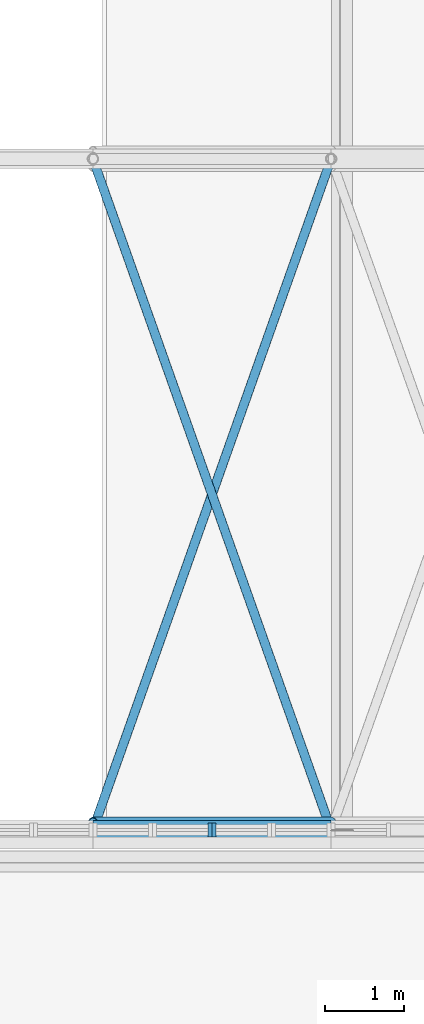
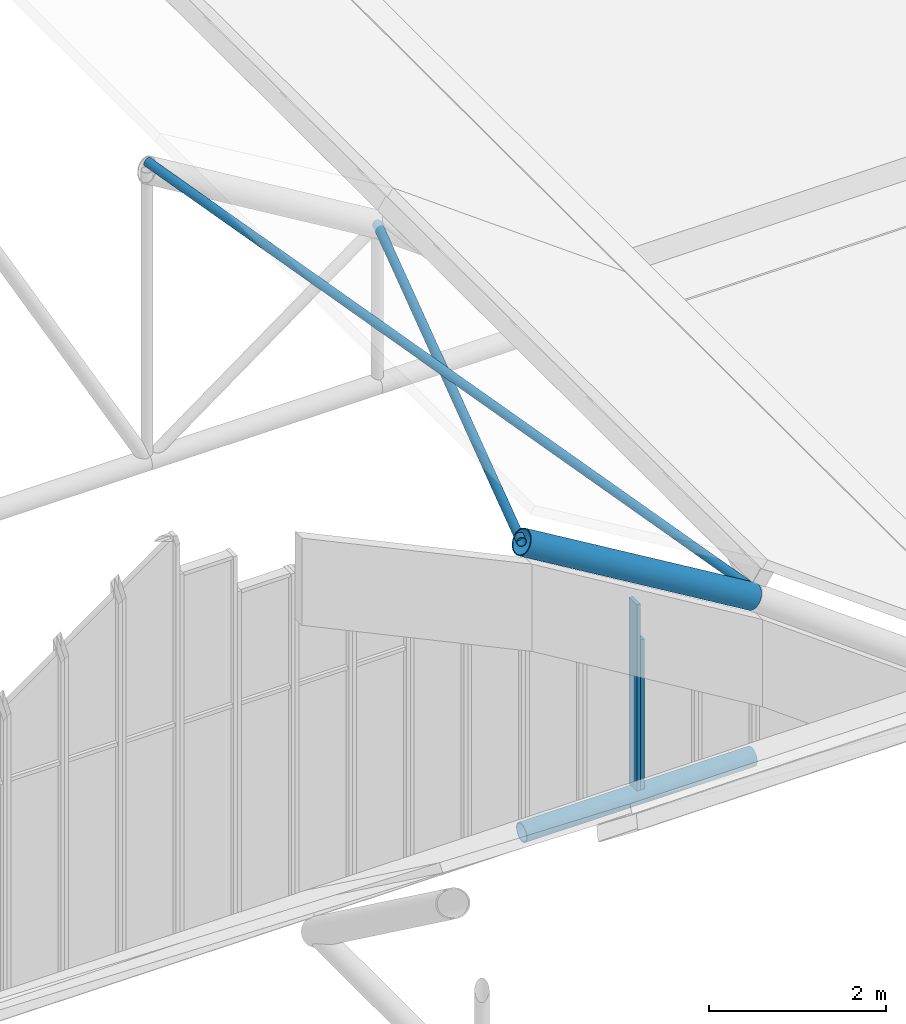
# One storey, part 69 of 153: 6 members, 2 elements without a shape of their own.
"""IFC4 building model written with IfcOpenShell, lengths in metres."""

from ifc_helpers import new_model, si_unit, direction, frame, origin, origin_2d, place, context, subcontext, project, spatial, rectangle, hollow_circle, extrude, material, material_profile, profile_set, type_object, element, aggregate, save


model = new_model("IFC4")

# Units and contexts
model_context = context("Model", 3, precision=1e-05, world=origin(), true_north=direction((0.0, 1.0)))
body_context = subcontext(model_context, "Body", "Model", "MODEL_VIEW")
ifc_project = project(units=[si_unit("LENGTHUNIT", "METRE"), si_unit("AREAUNIT", "SQUARE_METRE"), si_unit("VOLUMEUNIT", "CUBIC_METRE"), si_unit("PLANEANGLEUNIT", "RADIAN"), si_unit("MASSUNIT", "GRAM", prefix="KILO")], contexts=[model_context])

# Site, building, storey
site_placement = place(None, origin())
site = spatial("IfcSite", under=ifc_project, at=site_placement, CompositionType="ELEMENT")
building_placement = place(site_placement, origin())
building = spatial("IfcBuilding", under=site, at=building_placement, Name="Baradari Gate Terminus", CompositionType="ELEMENT")
storey_placement = place(building_placement, frame((0.0, 0.0, 11.699951171875)))
storey = spatial("IfcBuildingStorey", under=building, at=storey_placement, Name="L02", CompositionType="ELEMENT", Elevation=11.699951171875)

# Curtain wall, member
ifc_material_1 = material(Name="Aluminium 6063-T6", Category="aluminium")
curtain_wall_type = type_object("IfcCurtainWallType", Name="Curtain wall CW-60 hall gable glazing", PredefinedType="NOTDEFINED", material=ifc_material_1)
curtain_wall_1_placement = place(storey_placement, origin())
curtain_wall_1 = element("IfcCurtainWall", 1, at=curtain_wall_1_placement, inside=storey, type_object=curtain_wall_type, Name="Hall gable glazing S42", PredefinedType="NOTDEFINED")
ifc_material_2 = material(Name="Aluminium 6063-T6", Category="aluminium")
ifc_material_profile_1 = material_profile(ifc_material_2, rectangle(XDim=0.175048828125, YDim=0.050048828125, at=origin_2d()), Name="CM-60 50X175")
ifc_profile_set_1 = profile_set([ifc_material_profile_1], Name="Aluminium 6063-T6")
member_type_1 = type_object("IfcMemberType", Name="Curtain wall mullion CM-60 50x175", PredefinedType="MULLION", material=ifc_profile_set_1)
member_1_placement = place(storey_placement, frame((166.47509765625, 81.550048828125, 0.234619140625), z_axis=(0.0, 0.0, 1.0), x_axis=(0.0, 1.0, 0.0)))
member_1 = element("IfcMember", 2, at=member_1_placement, type_object=member_type_1, Name="CW-60 mullion 2", PredefinedType="MULLION", context=body_context, shape_type="SweptSolid", body=[
    extrude(rectangle(XDim=0.175048828125, YDim=0.050048828125, at=origin_2d()), origin(), (0.0, 0.0, 1.0), 2.5654296875),
])
aggregate(curtain_wall_1, [member_1])

curtain_wall_2_placement = place(storey_placement, origin())
curtain_wall_2 = element("IfcCurtainWall", 3, at=curtain_wall_2_placement, inside=storey, type_object=curtain_wall_type, Name="Hall gable glazing S43", PredefinedType="NOTDEFINED")
member_2_placement = place(storey_placement, frame((166.52490234375, 81.550048828125, 0.234619140625), z_axis=(0.0, 0.0, 1.0), x_axis=(0.0, 1.0, 0.0)))
member_2 = element("IfcMember", 4, at=member_2_placement, type_object=member_type_1, Name="CW-60 mullion 1", PredefinedType="MULLION", context=body_context, shape_type="SweptSolid", body=[
    extrude(rectangle(XDim=0.175048828125, YDim=0.050048828125, at=origin_2d()), origin(), (0.0, 0.0, 1.0), 2.0654296875),
])
aggregate(curtain_wall_2, [member_2])

# Members
ifc_material_3 = material(Name="Steel S355", Category="steel")
ifc_material_profile_2 = material_profile(ifc_material_3, hollow_circle(Radius=0.122314453125, WallThickness=0.010009765625, at=origin_2d()), Name="CHS 244.5x10")
ifc_profile_set_2 = profile_set([ifc_material_profile_2], Name="Steel S355")
member_type_2 = type_object("IfcMemberType", Name="Hall vault tie CHS 244.5x10", PredefinedType="CHORD", material=ifc_profile_set_2)
member_3_placement = place(storey_placement, frame((165.0, 81.550048828125, 0.122314453125), z_axis=(1.0, 0.0, 0.0), x_axis=(0.0, 1.0, 0.0)))
element("IfcMember", 5, at=member_3_placement, inside=storey, type_object=member_type_2, Name="TR/L02/VT1-BC10", PredefinedType="CHORD", context=body_context, shape_type="SweptSolid", body=[
    extrude(hollow_circle(Radius=0.122314453125, WallThickness=0.010009765625, at=origin_2d()), origin(), (0.0, 0.0, 1.0), 3.0),
])
ifc_material_4 = material(Name="Steel S355", Category="steel")
ifc_material_profile_3 = material_profile(ifc_material_4, hollow_circle(Radius=0.161865234375, WallThickness=0.012451171875, at=origin_2d()), Name="CHS 323.9x12.5")
ifc_profile_set_3 = profile_set([ifc_material_profile_3], Name="Steel S355")
member_type_3 = type_object("IfcMemberType", Name="Hall vault top chord CHS 323.9x12.5", PredefinedType="CHORD", material=ifc_profile_set_3)
member_4_placement = place(storey_placement, frame((165.0, 81.550048828125, 4.122314453125), z_axis=(0.857486768376, 0.0, -0.514506017516), x_axis=(0.0, 1.0, 0.0)))
element("IfcMember", 6, at=member_4_placement, inside=storey, type_object=member_type_3, Name="TR/L02/VT1-TC10", PredefinedType="CHORD", context=body_context, shape_type="SweptSolid", body=[
    extrude(hollow_circle(Radius=0.161865234375, WallThickness=0.012451171875, at=origin_2d()), origin(), (0.0, 0.0, 1.0), 3.49853515625),
])
ifc_material_5 = material(Name="Steel S355", Category="steel")
ifc_material_profile_4 = material_profile(ifc_material_5, hollow_circle(Radius=0.05712890625, WallThickness=0.00634765625, at=origin_2d()), Name="CHS 114.3x6.3")
ifc_profile_set_4 = profile_set([ifc_material_profile_4], Name="Steel S355")
member_type_4 = type_object("IfcMemberType", Name="Shed roof brace CHS 114.3x6.3", PredefinedType="BRACE", material=ifc_profile_set_4)
for number, where, z_axis, x_axis, name in (
    (7, (165.0, 81.550048828125, 4.122314453125), (0.328026883744, 0.923937050233, -0.196821469226), (-0.942370433144, 0.334571317861, 0.0), "TR/L02/VPB1-RB10A"),
    (8, (168.0, 81.550048828125, 2.4365234375), (-0.328026883744, 0.923937050233, 0.196821469226), (-0.942370433144, -0.334571317861, 0.0), "TR/L02/VPB1-RB10B"),
):
    element("IfcMember", number, at=place(storey_placement, frame(where, z_axis=z_axis, x_axis=x_axis)), inside=storey, type_object=member_type_4, Name=name, PredefinedType="BRACE", context=body_context, shape_type="SweptSolid", body=[
        extrude(hollow_circle(Radius=0.05712890625, WallThickness=0.00634765625, at=origin_2d()), origin(), (0.0, 0.0, 1.0), 9.1455078125),
    ])

save(model, "model.ifc")
